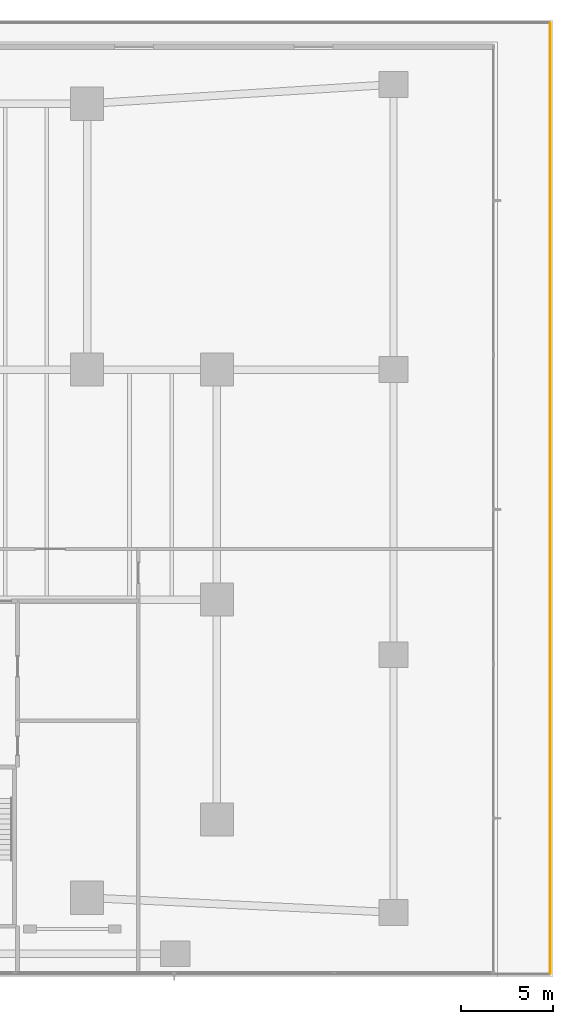
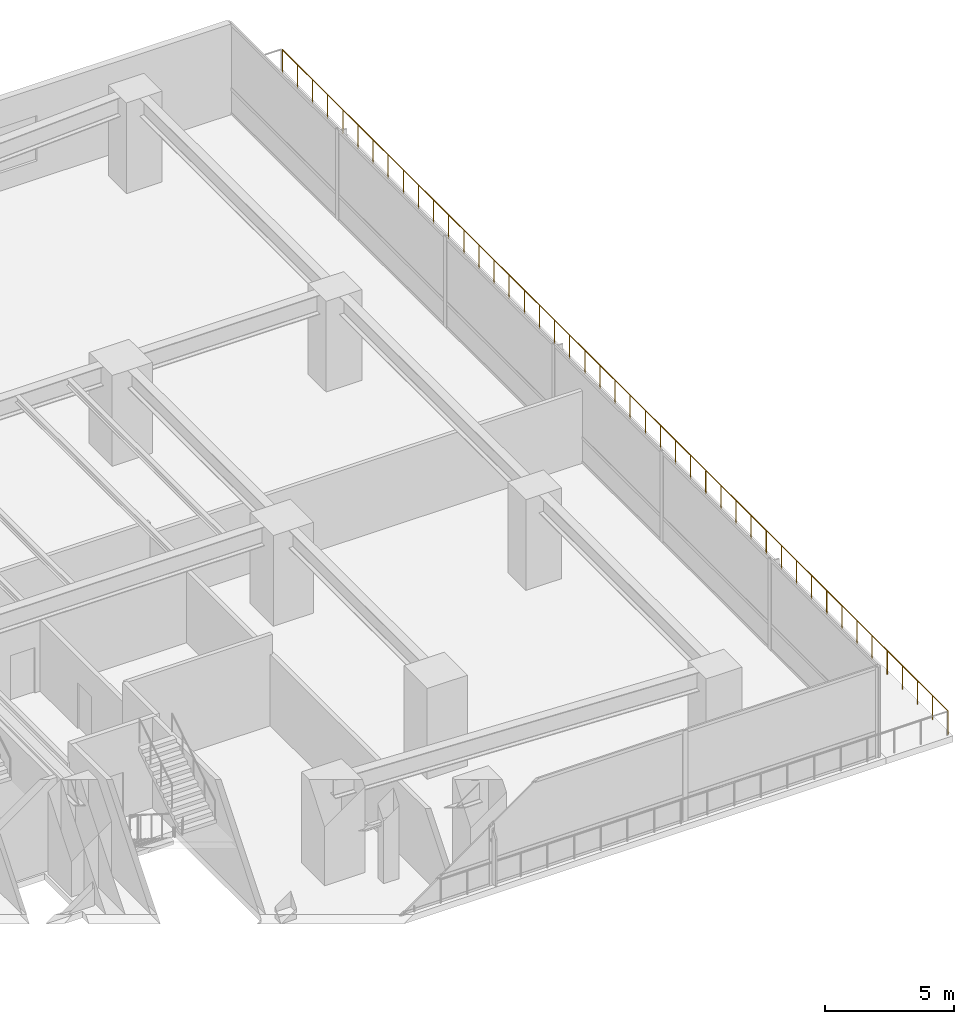
# One storey, part 26 of 27: 1 railing.
"""IFC4 building model written with IfcOpenShell, lengths in metres."""

from ifc_helpers import new_model, si_unit, direction, frame, origin, origin_2d, place, context, subcontext, project, spatial, circle, extrude, material, type_object, element, save


model = new_model("IFC4")

# Units and contexts
model_context = context("Model", 3, precision=1e-05, world=origin(), true_north=direction((0.0, 1.0)))
body_context = subcontext(model_context, "Body", "Model", "MODEL_VIEW")
ifc_project = project(units=[si_unit("LENGTHUNIT", "METRE"), si_unit("AREAUNIT", "SQUARE_METRE"), si_unit("VOLUMEUNIT", "CUBIC_METRE"), si_unit("PLANEANGLEUNIT", "RADIAN"), si_unit("MASSUNIT", "GRAM", prefix="KILO")], contexts=[model_context])

# Site, building, storey
site_placement = place(None, origin())
site = spatial("IfcSite", under=ifc_project, at=site_placement, CompositionType="ELEMENT")
building_placement = place(site_placement, origin())
building = spatial("IfcBuilding", under=site, at=building_placement, Name="Qalmaran Belvedere Hotel", CompositionType="ELEMENT")
storey_placement = place(building_placement, frame((0.0, 0.0, 5.39990234375)))
storey = spatial("IfcBuildingStorey", under=building, at=storey_placement, Name="L01", CompositionType="ELEMENT", Elevation=5.39990234375)

# Railing
ifc_material = material(Name="Anodised Bronze Aluminium", Category="aluminium")
railing_type = type_object("IfcRailingType", Name="GRD-TERR-1150", PredefinedType="BALUSTRADE", material=ifc_material)
railing_placement = place(storey_placement, frame((78.860107421875, 0.175048828125, 0.0)))
element("IfcRailing", 1, at=railing_placement, inside=storey, type_object=railing_type, Name="L01 Guardrail L01-TERR-2", PredefinedType="BALUSTRADE", context=body_context, shape_type="SweptSolid", body=[
    extrude(circle(Radius=0.02392578125, at=origin_2d()), frame((0.0, 0.0, 1.1259765625), z_axis=(0.0, 1.0, 0.0), x_axis=(-1.0, 0.0, 0.0)), (0.0, 0.0, 1.0), 51.64990234375),
    extrude(circle(Radius=0.02099609375, at=origin_2d()), origin(), (0.0, 0.0, 1.0), 1.101806640625),
    extrude(circle(Radius=0.02099609375, at=origin_2d()), frame((0.0, 1.173828125, 0.0)), (0.0, 0.0, 1.0), 1.101806640625),
    extrude(circle(Radius=0.02099609375, at=origin_2d()), frame((0.0, 2.34765625, 0.0)), (0.0, 0.0, 1.0), 1.101806640625),
    extrude(circle(Radius=0.02099609375, at=origin_2d()), frame((0.0, 3.521484375, 0.0)), (0.0, 0.0, 1.0), 1.101806640625),
    extrude(circle(Radius=0.02099609375, at=origin_2d()), frame((0.0, 4.695556640625, 0.0)), (0.0, 0.0, 1.0), 1.101806640625),
    extrude(circle(Radius=0.02099609375, at=origin_2d()), frame((0.0, 5.869384765625, 0.0)), (0.0, 0.0, 1.0), 1.101806640625),
    extrude(circle(Radius=0.02099609375, at=origin_2d()), frame((0.0, 7.043212890625, 0.0)), (0.0, 0.0, 1.0), 1.101806640625),
    extrude(circle(Radius=0.02099609375, at=origin_2d()), frame((0.0, 8.217041015625, 0.0)), (0.0, 0.0, 1.0), 1.101806640625),
    extrude(circle(Radius=0.02099609375, at=origin_2d()), frame((0.0, 9.390869140625, 0.0)), (0.0, 0.0, 1.0), 1.101806640625),
    extrude(circle(Radius=0.02099609375, at=origin_2d()), frame((0.0, 10.564697265625, 0.0)), (0.0, 0.0, 1.0), 1.101806640625),
    extrude(circle(Radius=0.02099609375, at=origin_2d()), frame((0.0, 11.738525390625, 0.0)), (0.0, 0.0, 1.0), 1.101806640625),
    extrude(circle(Radius=0.02099609375, at=origin_2d()), frame((0.0, 12.91259765625, 0.0)), (0.0, 0.0, 1.0), 1.101806640625),
    extrude(circle(Radius=0.02099609375, at=origin_2d()), frame((0.0, 14.08642578125, 0.0)), (0.0, 0.0, 1.0), 1.101806640625),
    extrude(circle(Radius=0.02099609375, at=origin_2d()), frame((0.0, 15.26025390625, 0.0)), (0.0, 0.0, 1.0), 1.101806640625),
    extrude(circle(Radius=0.02099609375, at=origin_2d()), frame((0.0, 16.43408203125, 0.0)), (0.0, 0.0, 1.0), 1.101806640625),
    extrude(circle(Radius=0.02099609375, at=origin_2d()), frame((0.0, 17.60791015625, 0.0)), (0.0, 0.0, 1.0), 1.101806640625),
    extrude(circle(Radius=0.02099609375, at=origin_2d()), frame((0.0, 18.78173828125, 0.0)), (0.0, 0.0, 1.0), 1.101806640625),
    extrude(circle(Radius=0.02099609375, at=origin_2d()), frame((0.0, 19.95556640625, 0.0)), (0.0, 0.0, 1.0), 1.101806640625),
    extrude(circle(Radius=0.02099609375, at=origin_2d()), frame((0.0, 21.12939453125, 0.0)), (0.0, 0.0, 1.0), 1.101806640625),
    extrude(circle(Radius=0.02099609375, at=origin_2d()), frame((0.0, 22.303466796875, 0.0)), (0.0, 0.0, 1.0), 1.101806640625),
    extrude(circle(Radius=0.02099609375, at=origin_2d()), frame((0.0, 23.477294921875, 0.0)), (0.0, 0.0, 1.0), 1.101806640625),
    extrude(circle(Radius=0.02099609375, at=origin_2d()), frame((0.0, 24.651123046875, 0.0)), (0.0, 0.0, 1.0), 1.101806640625),
    extrude(circle(Radius=0.02099609375, at=origin_2d()), frame((0.0, 25.824951171875, 0.0)), (0.0, 0.0, 1.0), 1.101806640625),
    extrude(circle(Radius=0.02099609375, at=origin_2d()), frame((0.0, 26.998779296875, 0.0)), (0.0, 0.0, 1.0), 1.101806640625),
    extrude(circle(Radius=0.02099609375, at=origin_2d()), frame((0.0, 28.172607421875, 0.0)), (0.0, 0.0, 1.0), 1.101806640625),
    extrude(circle(Radius=0.02099609375, at=origin_2d()), frame((0.0, 29.346435546875, 0.0)), (0.0, 0.0, 1.0), 1.101806640625),
    extrude(circle(Radius=0.02099609375, at=origin_2d()), frame((0.0, 30.5205078125, 0.0)), (0.0, 0.0, 1.0), 1.101806640625),
    extrude(circle(Radius=0.02099609375, at=origin_2d()), frame((0.0, 31.6943359375, 0.0)), (0.0, 0.0, 1.0), 1.101806640625),
    extrude(circle(Radius=0.02099609375, at=origin_2d()), frame((0.0, 32.8681640625, 0.0)), (0.0, 0.0, 1.0), 1.101806640625),
    extrude(circle(Radius=0.02099609375, at=origin_2d()), frame((0.0, 34.0419921875, 0.0)), (0.0, 0.0, 1.0), 1.101806640625),
    extrude(circle(Radius=0.02099609375, at=origin_2d()), frame((0.0, 35.2158203125, 0.0)), (0.0, 0.0, 1.0), 1.101806640625),
    extrude(circle(Radius=0.02099609375, at=origin_2d()), frame((0.0, 36.3896484375, 0.0)), (0.0, 0.0, 1.0), 1.101806640625),
    extrude(circle(Radius=0.02099609375, at=origin_2d()), frame((0.0, 37.5634765625, 0.0)), (0.0, 0.0, 1.0), 1.101806640625),
    extrude(circle(Radius=0.02099609375, at=origin_2d()), frame((0.0, 38.7373046875, 0.0)), (0.0, 0.0, 1.0), 1.101806640625),
    extrude(circle(Radius=0.02099609375, at=origin_2d()), frame((0.0, 39.911376953125, 0.0)), (0.0, 0.0, 1.0), 1.101806640625),
    extrude(circle(Radius=0.02099609375, at=origin_2d()), frame((0.0, 41.085205078125, 0.0)), (0.0, 0.0, 1.0), 1.101806640625),
    extrude(circle(Radius=0.02099609375, at=origin_2d()), frame((0.0, 42.259033203125, 0.0)), (0.0, 0.0, 1.0), 1.101806640625),
    extrude(circle(Radius=0.02099609375, at=origin_2d()), frame((0.0, 43.432861328125, 0.0)), (0.0, 0.0, 1.0), 1.101806640625),
    extrude(circle(Radius=0.02099609375, at=origin_2d()), frame((0.0, 44.606689453125, 0.0)), (0.0, 0.0, 1.0), 1.101806640625),
    extrude(circle(Radius=0.02099609375, at=origin_2d()), frame((0.0, 45.780517578125, 0.0)), (0.0, 0.0, 1.0), 1.101806640625),
    extrude(circle(Radius=0.02099609375, at=origin_2d()), frame((0.0, 46.954345703125, 0.0)), (0.0, 0.0, 1.0), 1.101806640625),
    extrude(circle(Radius=0.02099609375, at=origin_2d()), frame((0.0, 48.12841796875, 0.0)), (0.0, 0.0, 1.0), 1.101806640625),
    extrude(circle(Radius=0.02099609375, at=origin_2d()), frame((0.0, 49.30224609375, 0.0)), (0.0, 0.0, 1.0), 1.101806640625),
    extrude(circle(Radius=0.02099609375, at=origin_2d()), frame((0.0, 50.47607421875, 0.0)), (0.0, 0.0, 1.0), 1.101806640625),
    extrude(circle(Radius=0.02099609375, at=origin_2d()), frame((0.0, 51.64990234375, 0.0)), (0.0, 0.0, 1.0), 1.101806640625),
])

save(model, "model.ifc")
